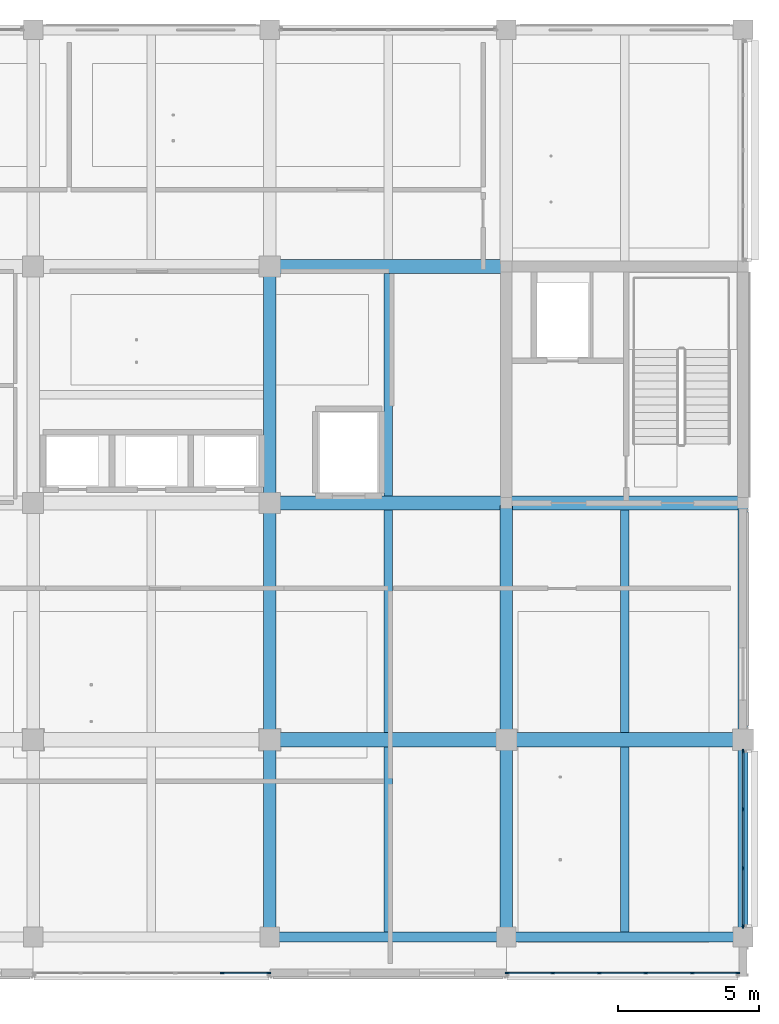
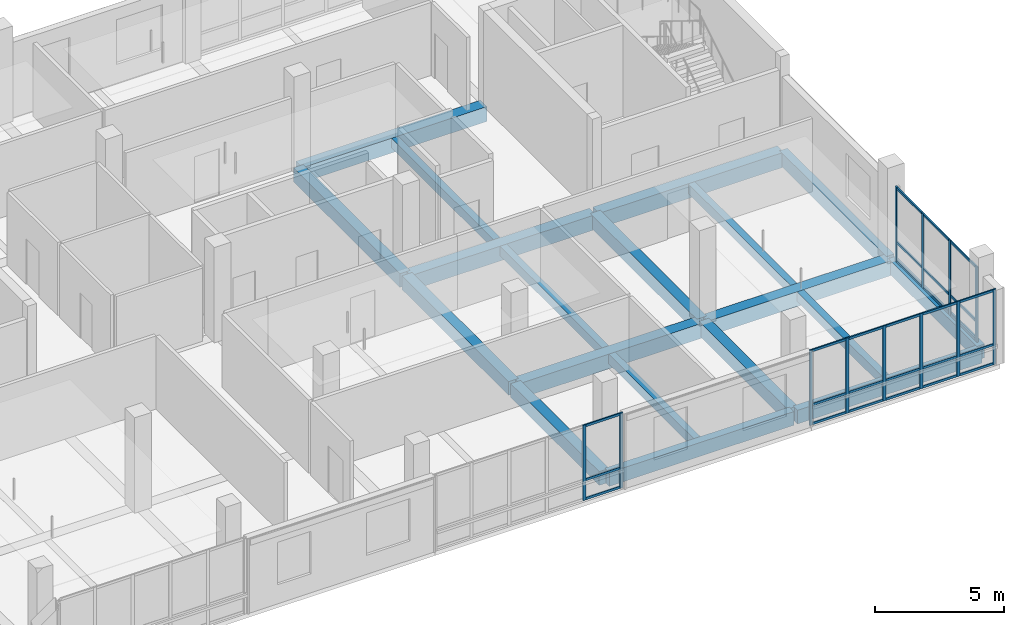
# One storey, part 6 of 35: 39 members, 19 beams, 3 elements without a shape of their own.
"""IFC4 building model written with IfcOpenShell, lengths in metres."""

import ifcopenshell
import ifcopenshell.guid

model = None  # the IFC model being written
_history = None  # IfcOwnerHistory: only IFC2X3 demands one
_inside = {}  # id of a spatial element -> (the spatial element, [elements in it])
_under = {}  # id of a project, library or spatial element -> (it, [spatial elements below it])
_declared = {}  # id of a project -> (the project, [libraries it declares])
_typed = {}  # id of a type object -> (the type object, [elements of that type])
_made_of = {}  # id of a material, layer set ... -> (it, [elements and type objects made of it])


def new_model(schema):
    """Start an empty IFC model of exactly this schema.

    Asked for "IFC4X3", IfcOpenShell would pick the latest addendum, in which some entities
    have other attributes; the version numbers below select the first issue.
    IFC2X3 requires an IfcOwnerHistory on every rooted entity: one is made here for all.
    """
    global model, _history
    if schema == "IFC4X3":
        model = ifcopenshell.file(schema_version=(4, 3, 0, 0))
    else:
        model = ifcopenshell.file(schema=schema)
    _inside.clear()
    _under.clear()
    _declared.clear()
    _typed.clear()
    _made_of.clear()
    _history = None
    if model.schema == "IFC2X3":
        org = make("IfcOrganization", Name="unknown")
        user = make(
            "IfcPersonAndOrganization",
            ThePerson=make("IfcPerson", FamilyName="unknown"),
            TheOrganization=org,
        )
        app = make(
            "IfcApplication",
            ApplicationDeveloper=org,
            Version="unknown",
            ApplicationFullName="unknown",
            ApplicationIdentifier="unknown",
        )
        _history = make(
            "IfcOwnerHistory",
            OwningUser=user,
            OwningApplication=app,
            ChangeAction="ADDED",
            CreationDate=0,
        )
    return model


def make(cls, **values):
    """One entity of the class cls with the attributes given. An attribute that is None is left unset."""
    return model.create_entity(
        cls, **{name: value for name, value in values.items() if value is not None}
    )


def rooted(cls, **values):
    """An entity with a GlobalId (a new one), such as an element, a storey or a relation."""
    return make(cls, GlobalId=ifcopenshell.guid.new(), OwnerHistory=_history, **values)


def si_unit(unit_type, name, prefix=None):
    """IfcSIUnit, for example si_unit("LENGTHUNIT", "METRE", prefix="MILLI")."""
    return make("IfcSIUnit", UnitType=unit_type, Prefix=prefix, Name=name)


def assignment(units):
    """IfcUnitAssignment: the units of a project."""
    return None if units is None else make("IfcUnitAssignment", Units=units)


def point(xyz):
    """IfcCartesianPoint."""
    return None if xyz is None else make("IfcCartesianPoint", Coordinates=xyz)


def direction(xyz):
    """IfcDirection."""
    return None if xyz is None else make("IfcDirection", DirectionRatios=xyz)


def frame(location, z_axis=None, x_axis=None):
    """IfcAxis2Placement3D, a coordinate frame: its origin and axes. An axis left out is left unset."""
    return make(
        "IfcAxis2Placement3D",
        Location=point(location),
        Axis=direction(z_axis),
        RefDirection=direction(x_axis),
    )


def frame_2d(location, x_axis=None):
    """IfcAxis2Placement2D, a coordinate frame in the plane: its origin and x axis."""
    return make(
        "IfcAxis2Placement2D", Location=point(location), RefDirection=direction(x_axis)
    )


def origin():
    """The frame at (0, 0, 0) with its axes left unset."""
    return frame((0.0, 0.0, 0.0))


def origin_2d():
    """The frame at (0, 0) in the plane with its x axis left unset."""
    return frame_2d((0.0, 0.0))


def place(relative_to, where):
    """IfcLocalPlacement: puts the frame where relative to a parent placement (None: the world)."""
    return make(
        "IfcLocalPlacement", PlacementRelTo=relative_to, RelativePlacement=where
    )


def context(
    kind, dimensions, precision=None, world=None, true_north=None, identifier=None
):
    """IfcGeometricRepresentationContext, for example the 3D "Model" context."""
    return make(
        "IfcGeometricRepresentationContext",
        ContextIdentifier=identifier,
        ContextType=kind,
        CoordinateSpaceDimension=dimensions,
        Precision=precision,
        WorldCoordinateSystem=world,
        TrueNorth=true_north,
    )


def subcontext(parent, identifier, kind, view, scale=None):
    """IfcGeometricRepresentationSubContext, for example "Body" below "Model"."""
    return make(
        "IfcGeometricRepresentationSubContext",
        ContextIdentifier=identifier,
        ContextType=kind,
        ParentContext=parent,
        TargetScale=scale,
        TargetView=view,
    )


def project(units=None, contexts=None):
    """IfcProject with its units and contexts."""
    return rooted(
        "IfcProject",
        Name="project",
        RepresentationContexts=contexts,
        UnitsInContext=assignment(units),
    )


def spatial(cls, under=None, at=None, **own):
    """A site, building, storey or space (cls), placed at a placement, below another one or the project."""
    s = rooted(cls, ObjectPlacement=at, **own)
    if under is not None:
        _under.setdefault(under.id(), (under, []))[1].append(s)
    return s


def profile(cls, at=None, kind="AREA", **sizes):
    """A parametric profile (cls). Its sizes go by their IFC names, for example OverallWidth=200.0."""
    return make(cls, ProfileType=kind, Position=at, **sizes)


def rectangle(**sizes):
    """IfcRectangleProfileDef."""
    return profile("IfcRectangleProfileDef", **sizes)


def extrude(swept, where, along, depth):
    """IfcExtrudedAreaSolid: the profile swept, set in the frame where, extruded along a direction by depth."""
    return make(
        "IfcExtrudedAreaSolid",
        SweptArea=swept,
        Position=where,
        ExtrudedDirection=direction(along),
        Depth=depth,
    )


def shape(context_of_items, identifier, shape_type, items):
    """IfcShapeRepresentation: the items that make up one representation, for example the "Body"."""
    return make(
        "IfcShapeRepresentation",
        ContextOfItems=context_of_items,
        RepresentationIdentifier=identifier,
        RepresentationType=shape_type,
        Items=items,
    )


def material(Name=None, Category=None):
    """IfcMaterial."""
    return make("IfcMaterial", Name=Name, Category=Category)


def layer(
    of_material, thickness, ventilated=None, Name=None, Category=None, Priority=None
):
    """IfcMaterialLayer: one layer of a wall or slab, of a material (None: an air gap)."""
    return make(
        "IfcMaterialLayer",
        Material=of_material,
        LayerThickness=thickness,
        IsVentilated=ventilated,
        Name=Name,
        Category=Category,
        Priority=Priority,
    )


def layer_set(layers, Name=None):
    """IfcMaterialLayerSet."""
    return make("IfcMaterialLayerSet", MaterialLayers=layers, LayerSetName=Name)


def material_profile(
    of_material, cross_section, Name=None, Category=None, Priority=None
):
    """IfcMaterialProfile: a cross section and its material."""
    return make(
        "IfcMaterialProfile",
        Name=Name,
        Material=of_material,
        Profile=cross_section,
        Priority=Priority,
        Category=Category,
    )


def profile_set(profiles, Name=None, composite=None):
    """IfcMaterialProfileSet."""
    return make(
        "IfcMaterialProfileSet",
        Name=Name,
        MaterialProfiles=profiles,
        CompositeProfile=composite,
    )


def made_of(thing, what):
    """Note that an element or type object is made of a material, layer set ...; save() writes the relation."""
    if what is not None:
        _made_of.setdefault(what.id(), (what, []))[1].append(thing)
    return thing


def type_object(cls, material=None, **own):
    """A type object (cls), such as IfcWallType, which elements share."""
    return made_of(rooted(cls, **own), material)


def element(
    cls,
    number,
    at=None,
    inside=None,
    cuts=None,
    type_object=None,
    material=None,
    context=None,
    identifier="Body",
    shape_type=None,
    held_by="IfcProductDefinitionShape",
    body=None,
    shapes=None,
    **own,
):
    """One element of the class cls, such as IfcWall. Its Tag is "e" and its number.

    at: its placement. inside: the storey or other place that contains it. cuts: it is an
    opening in that element (IfcRelVoidsElement). A single representation is given by context,
    identifier, shape_type and body (its items); several are given by shapes. held_by: the class
    of the entity that holds the representations. save() writes the other relations.
    """
    e = rooted(cls, Tag="e%d" % number, ObjectPlacement=at, **own)
    if body is not None:
        shapes = [shape(context, identifier, shape_type, body)]
    if shapes is not None:
        e.Representation = make(held_by, Representations=shapes)
    if inside is not None:
        _inside.setdefault(inside.id(), (inside, []))[1].append(e)
    if cuts is not None:
        rooted(
            "IfcRelVoidsElement", RelatingBuildingElement=cuts, RelatedOpeningElement=e
        )
    if type_object is not None:
        _typed.setdefault(type_object.id(), (type_object, []))[1].append(e)
    return made_of(e, material)


def aggregate(whole, parts):
    """IfcRelAggregates: a whole, such as a stair, and the parts it consists of."""
    return rooted("IfcRelAggregates", RelatingObject=whole, RelatedObjects=parts)


def save(model, path):
    """Write the relations noted so far, then the file.

    IfcRelAggregates (storeys below a building ...), IfcRelContainedInSpatialStructure (elements
    in a storey), IfcRelDefinesByType, IfcRelAssociatesMaterial and IfcRelDeclares: one each for
    every whole, place, type object, material and project.
    """
    for whole, parts in _under.values():
        aggregate(whole, parts)
    for where, things in _inside.values():
        rooted(
            "IfcRelContainedInSpatialStructure",
            RelatedElements=things,
            RelatingStructure=where,
        )
    for kind, things in _typed.values():
        rooted("IfcRelDefinesByType", RelatedObjects=things, RelatingType=kind)
    for what, things in _made_of.values():
        rooted("IfcRelAssociatesMaterial", RelatedObjects=things, RelatingMaterial=what)
    for by, libraries in _declared.values():
        rooted("IfcRelDeclares", RelatingContext=by, RelatedDefinitions=libraries)
    model.write(path)


model = new_model("IFC4")

# Units and contexts
model_context = context("Model", 3, precision=1e-05, world=origin(), true_north=direction((0.0, 1.0)))
body_context = subcontext(model_context, "Body", "Model", "MODEL_VIEW")
ifc_project = project(units=[si_unit("LENGTHUNIT", "METRE"), si_unit("AREAUNIT", "SQUARE_METRE"), si_unit("VOLUMEUNIT", "CUBIC_METRE"), si_unit("PLANEANGLEUNIT", "RADIAN"), si_unit("MASSUNIT", "GRAM", prefix="KILO")], contexts=[model_context])

# Site, building, storey
site_placement = place(None, origin())
site = spatial("IfcSite", under=ifc_project, at=site_placement, CompositionType="ELEMENT")
building_placement = place(site_placement, origin())
building = spatial("IfcBuilding", under=site, at=building_placement, Name="Telukmera Botanical Conservatory", CompositionType="ELEMENT")
storey_placement = place(building_placement, frame((0.0, 0.0, 46.5)))
storey = spatial("IfcBuildingStorey", under=building, at=storey_placement, Name="L10", CompositionType="ELEMENT", Elevation=46.5)

# Beams
ifc_material_1 = material(Name="Concrete C40/50", Category="concrete")
ifc_material_profile_1 = material_profile(ifc_material_1, rectangle(XDim=0.5, YDim=0.699951171875, at=origin_2d()), Name="RC 500x700")
ifc_profile_set_1 = profile_set([ifc_material_profile_1], Name="Concrete C40/50")
beam_type_1 = type_object("IfcBeamType", Name="Beam_B14", PredefinedType="BEAM", material=ifc_profile_set_1)
for number, where, z_axis, x_axis, name in (
    (1, (84.080078125, 17.60009765625, -0.35009765625), (1.0, 0.0, 0.0), (0.0, 1.0, 0.0), "Tower Grid Beam L10"),
    (2, (92.47998046875, 17.60009765625, -0.35009765625), (1.0, 0.0, 0.0), (0.0, 1.0, 0.0), "Tower Grid Beam L10"),
    (3, (84.080078125, 26.0, -0.35009765625), (1.0, 0.0, 0.0), (0.0, 1.0, 0.0), "Tower Grid Beam L10"),
    (4, (92.47998046875, 26.0, -0.35009765625), (1.0, 0.0, 0.0), (0.0, 1.0, 0.0), "Tower Grid Beam L10"),
    (5, (84.080078125, 34.39990234375, -0.35009765625), (1.0, 0.0, 0.0), (0.0, 1.0, 0.0), "Tower Grid Beam L10"),
):
    element("IfcBeam", number, at=place(storey_placement, frame(where, z_axis=z_axis, x_axis=x_axis)), inside=storey, type_object=beam_type_1, Name=name, PredefinedType="BEAM", context=body_context, shape_type="SweptSolid", body=[
        extrude(rectangle(XDim=0.5, YDim=0.699951171875, at=origin_2d()), origin(), (0.0, 0.0, 1.0), 8.239990234375),
    ])
ifc_material_profile_2 = material_profile(ifc_material_1, rectangle(XDim=0.449951171875, YDim=0.64990234375, at=origin_2d()), Name="RC 450x650")
ifc_profile_set_2 = profile_set([ifc_material_profile_2], Name="Concrete C40/50")
beam_type_2 = type_object("IfcBeamType", Name="Beam_B16", PredefinedType="BEAM", material=ifc_profile_set_2)
beam_1_placement = place(storey_placement, frame((84.0, 10.679931640625, -0.324951171875), z_axis=(0.0, 1.0, 0.0), x_axis=(-1.0, 0.0, 0.0)))
element("IfcBeam", 6, at=beam_1_placement, inside=storey, type_object=beam_type_2, Name="Tower Transverse Beam L10", PredefinedType="BEAM", context=body_context, shape_type="SweptSolid", body=[
    extrude(rectangle(XDim=0.449951171875, YDim=0.64990234375, at=origin_2d()), origin(), (0.0, 0.0, 1.0), 6.840087890625),
])
for number, where, z_axis, x_axis, name in (
    (7, (84.0, 17.679931640625, -0.324951171875), (0.0, 1.0, 0.0), (-1.0, 0.0, 0.0), "Tower Transverse Beam L10"),
    (8, (84.0, 26.080078125, -0.324951171875), (0.0, 1.0, 0.0), (-1.0, 0.0, 0.0), "Tower Transverse Beam L10"),
):
    element("IfcBeam", number, at=place(storey_placement, frame(where, z_axis=z_axis, x_axis=x_axis)), inside=storey, type_object=beam_type_2, Name=name, PredefinedType="BEAM", context=body_context, shape_type="SweptSolid", body=[
        extrude(rectangle(XDim=0.449951171875, YDim=0.64990234375, at=origin_2d()), origin(), (0.0, 0.0, 1.0), 8.239990234375),
    ])
beam_2_placement = place(storey_placement, frame((92.39990234375, 10.679931640625, -0.324951171875), z_axis=(0.0, 1.0, 0.0), x_axis=(-1.0, 0.0, 0.0)))
element("IfcBeam", 9, at=beam_2_placement, inside=storey, type_object=beam_type_2, Name="Tower Transverse Beam L10", PredefinedType="BEAM", context=body_context, shape_type="SweptSolid", body=[
    extrude(rectangle(XDim=0.449951171875, YDim=0.64990234375, at=origin_2d()), origin(), (0.0, 0.0, 1.0), 6.840087890625),
])
beam_3_placement = place(storey_placement, frame((92.39990234375, 17.679931640625, -0.324951171875), z_axis=(0.0, 1.0, 0.0), x_axis=(-1.0, 0.0, 0.0)))
element("IfcBeam", 10, at=beam_3_placement, inside=storey, type_object=beam_type_2, Name="Tower Transverse Beam L10", PredefinedType="BEAM", context=body_context, shape_type="SweptSolid", body=[
    extrude(rectangle(XDim=0.449951171875, YDim=0.64990234375, at=origin_2d()), origin(), (0.0, 0.0, 1.0), 8.239990234375),
])
ifc_material_profile_3 = material_profile(ifc_material_1, rectangle(XDim=0.300048828125, YDim=0.449951171875, at=origin_2d()), Name="RC 300x450")
ifc_profile_set_3 = profile_set([ifc_material_profile_3], Name="Concrete C40/50")
beam_type_3 = type_object("IfcBeamType", Name="Beam_B25", PredefinedType="JOIST", material=ifc_profile_set_3)
beam_4_placement = place(storey_placement, frame((88.199951171875, 10.77490234375, -0.22509765625), z_axis=(0.0, 1.0, 0.0), x_axis=(-1.0, 0.0, 0.0)))
element("IfcBeam", 11, at=beam_4_placement, inside=storey, type_object=beam_type_3, Name="Tower Secondary Floor Joist L10", PredefinedType="JOIST", context=body_context, shape_type="SweptSolid", body=[
    extrude(rectangle(XDim=0.300048828125, YDim=0.449951171875, at=origin_2d()), origin(), (0.0, 0.0, 1.0), 6.5751953125),
])
for number, where, z_axis, x_axis, name in (
    (12, (88.199951171875, 17.85009765625, -0.22509765625), (0.0, 1.0, 0.0), (-1.0, 0.0, 0.0), "Tower Secondary Floor Joist L10"),
    (13, (88.199951171875, 26.25, -0.22509765625), (0.0, 1.0, 0.0), (-1.0, 0.0, 0.0), "Tower Secondary Floor Joist L10"),
):
    element("IfcBeam", number, at=place(storey_placement, frame(where, z_axis=z_axis, x_axis=x_axis)), inside=storey, type_object=beam_type_3, Name=name, PredefinedType="JOIST", context=body_context, shape_type="SweptSolid", body=[
        extrude(rectangle(XDim=0.300048828125, YDim=0.449951171875, at=origin_2d()), origin(), (0.0, 0.0, 1.0), 7.89990234375),
    ])
beam_5_placement = place(storey_placement, frame((96.60009765625, 10.77490234375, -0.22509765625), z_axis=(0.0, 1.0, 0.0), x_axis=(-1.0, 0.0, 0.0)))
element("IfcBeam", 14, at=beam_5_placement, inside=storey, type_object=beam_type_3, Name="Tower Secondary Floor Joist L10", PredefinedType="JOIST", context=body_context, shape_type="SweptSolid", body=[
    extrude(rectangle(XDim=0.300048828125, YDim=0.449951171875, at=origin_2d()), origin(), (0.0, 0.0, 1.0), 6.5751953125),
])
beam_6_placement = place(storey_placement, frame((96.60009765625, 17.85009765625, -0.22509765625), z_axis=(0.0, 1.0, 0.0), x_axis=(-1.0, 0.0, 0.0)))
element("IfcBeam", 15, at=beam_6_placement, inside=storey, type_object=beam_type_3, Name="Tower Secondary Floor Joist L10", PredefinedType="JOIST", context=body_context, shape_type="SweptSolid", body=[
    extrude(rectangle(XDim=0.300048828125, YDim=0.449951171875, at=origin_2d()), origin(), (0.0, 0.0, 1.0), 7.89990234375),
])
ifc_material_2 = material(Name="Precast concrete C40/50", Category="concrete")
ifc_material_profile_4 = material_profile(ifc_material_2, rectangle(XDim=0.35009765625, YDim=0.64990234375, at=origin_2d()), Name="PC 350x650")
ifc_profile_set_4 = profile_set([ifc_material_profile_4], Name="Precast concrete C40/50")
beam_type_4 = type_object("IfcBeamType", Name="Beam_SP3", PredefinedType="SPANDREL", material=ifc_profile_set_4)
for number, where, z_axis, x_axis, name in (
    (16, (84.080078125, 10.60009765625, -0.324951171875), (1.0, 0.0, 0.0), (0.0, 1.0, 0.0), "Tower Grid Beam L10"),
    (17, (92.47998046875, 10.60009765625, -0.324951171875), (1.0, 0.0, 0.0), (0.0, 1.0, 0.0), "Tower Grid Beam L10"),
):
    element("IfcBeam", number, at=place(storey_placement, frame(where, z_axis=z_axis, x_axis=x_axis)), inside=storey, type_object=beam_type_4, Name=name, PredefinedType="SPANDREL", context=body_context, shape_type="SweptSolid", body=[
        extrude(rectangle(XDim=0.35009765625, YDim=0.64990234375, at=origin_2d()), origin(), (0.0, 0.0, 1.0), 8.239990234375),
    ])
beam_7_placement = place(storey_placement, frame((100.800048828125, 10.679931640625, -0.324951171875), z_axis=(0.0, 1.0, 0.0), x_axis=(-1.0, 0.0, 0.0)))
element("IfcBeam", 18, at=beam_7_placement, inside=storey, type_object=beam_type_4, Name="Tower Transverse Beam L10", PredefinedType="SPANDREL", context=body_context, shape_type="SweptSolid", body=[
    extrude(rectangle(XDim=0.35009765625, YDim=0.64990234375, at=origin_2d()), origin(), (0.0, 0.0, 1.0), 6.840087890625),
])
beam_8_placement = place(storey_placement, frame((100.800048828125, 17.679931640625, -0.324951171875), z_axis=(0.0, 1.0, 0.0), x_axis=(-1.0, 0.0, 0.0)))
element("IfcBeam", 19, at=beam_8_placement, inside=storey, type_object=beam_type_4, Name="Tower Transverse Beam L10", PredefinedType="SPANDREL", context=body_context, shape_type="SweptSolid", body=[
    extrude(rectangle(XDim=0.35009765625, YDim=0.64990234375, at=origin_2d()), origin(), (0.0, 0.0, 1.0), 8.239990234375),
])

# Curtain wall, members
ifc_material_3 = material(Name="Anodised aluminium 6063-T6", Category="aluminium")
ifc_layer = layer(ifc_material_3, 0.179931640625)
ifc_layer_set = layer_set([ifc_layer], Name="Anodised aluminium 6063-T6")
curtain_wall_type = type_object("IfcCurtainWallType", Name="Tower Research Laboratory Unitised Curtain Wall", PredefinedType="USERDEFINED", material=ifc_layer_set)
curtain_wall_1_placement = place(storey_placement, origin())
curtain_wall_1 = element("IfcCurtainWall", 20, at=curtain_wall_1_placement, inside=storey, type_object=curtain_wall_type, Name="Unitised Curtain Wall CW15 V4:L10:S4", ObjectType="UNITISED CURTAIN WALL", PredefinedType="USERDEFINED")
ifc_material_profile_5 = material_profile(ifc_material_3, rectangle(XDim=0.06005859375, YDim=0.139892578125, at=origin_2d()), Name="ALU MULL 60x140")
ifc_profile_set_5 = profile_set([ifc_material_profile_5], Name="Anodised aluminium 6063-T6")
member_type_1 = type_object("IfcMemberType", Name="Curtain Wall Extruded Mullion 60x140", PredefinedType="MULLION", material=ifc_profile_set_5)
member_1_placement = place(storey_placement, frame((82.31884765625, 9.320068359375, 0.0), z_axis=(0.0, 0.0, 1.0), x_axis=(0.0, 1.0, 0.0)))
member_1 = element("IfcMember", 21, at=member_1_placement, type_object=member_type_1, Name="CW15 mullion 5", PredefinedType="MULLION", context=body_context, shape_type="SweptSolid", body=[
    extrude(rectangle(XDim=0.06005859375, YDim=0.139892578125, at=origin_2d()), origin(), (0.0, 0.0, 1.0), 3.550048828125),
])
member_2_placement = place(storey_placement, frame((83.968017578125, 9.320068359375, 0.0), z_axis=(0.0, 0.0, 1.0), x_axis=(0.0, 1.0, 0.0)))
member_2 = element("IfcMember", 22, at=member_2_placement, type_object=member_type_1, Name="CW15 mullion 6", PredefinedType="MULLION", context=body_context, shape_type="SweptSolid", body=[
    extrude(rectangle(XDim=0.06005859375, YDim=0.139892578125, at=origin_2d()), origin(), (0.0, 0.0, 1.0), 3.550048828125),
])

curtain_wall_2_placement = place(storey_placement, origin())
curtain_wall_2 = element("IfcCurtainWall", 23, at=curtain_wall_2_placement, inside=storey, type_object=curtain_wall_type, Name="Unitised Curtain Wall CW15 V4:L10:S6", ObjectType="UNITISED CURTAIN WALL", PredefinedType="USERDEFINED")
member_3_placement = place(storey_placement, frame((92.431884765625, 9.320068359375, 0.0), z_axis=(0.0, 0.0, 1.0), x_axis=(0.0, 1.0, 0.0)))
member_3 = element("IfcMember", 24, at=member_3_placement, type_object=member_type_1, Name="CW15 mullion 1", PredefinedType="MULLION", context=body_context, shape_type="SweptSolid", body=[
    extrude(rectangle(XDim=0.06005859375, YDim=0.139892578125, at=origin_2d()), origin(), (0.0, 0.0, 1.0), 3.550048828125),
])
member_4_placement = place(storey_placement, frame((94.05126953125, 9.320068359375, 0.0), z_axis=(0.0, 0.0, 1.0), x_axis=(0.0, 1.0, 0.0)))
member_4 = element("IfcMember", 25, at=member_4_placement, type_object=member_type_1, Name="CW15 mullion 2", PredefinedType="MULLION", context=body_context, shape_type="SweptSolid", body=[
    extrude(rectangle(XDim=0.06005859375, YDim=0.139892578125, at=origin_2d()), origin(), (0.0, 0.0, 1.0), 3.550048828125),
])
member_5_placement = place(storey_placement, frame((95.700439453125, 9.320068359375, 0.0), z_axis=(0.0, 0.0, 1.0), x_axis=(0.0, 1.0, 0.0)))
member_5 = element("IfcMember", 26, at=member_5_placement, type_object=member_type_1, Name="CW15 mullion 3", PredefinedType="MULLION", context=body_context, shape_type="SweptSolid", body=[
    extrude(rectangle(XDim=0.06005859375, YDim=0.139892578125, at=origin_2d()), origin(), (0.0, 0.0, 1.0), 3.550048828125),
])
member_6_placement = place(storey_placement, frame((97.349609375, 9.320068359375, 0.0), z_axis=(0.0, 0.0, 1.0), x_axis=(0.0, 1.0, 0.0)))
member_6 = element("IfcMember", 27, at=member_6_placement, type_object=member_type_1, Name="CW15 mullion 4", PredefinedType="MULLION", context=body_context, shape_type="SweptSolid", body=[
    extrude(rectangle(XDim=0.06005859375, YDim=0.139892578125, at=origin_2d()), origin(), (0.0, 0.0, 1.0), 3.550048828125),
])
member_7_placement = place(storey_placement, frame((98.998779296875, 9.320068359375, 0.0), z_axis=(0.0, 0.0, 1.0), x_axis=(0.0, 1.0, 0.0)))
member_7 = element("IfcMember", 28, at=member_7_placement, type_object=member_type_1, Name="CW15 mullion 5", PredefinedType="MULLION", context=body_context, shape_type="SweptSolid", body=[
    extrude(rectangle(XDim=0.06005859375, YDim=0.139892578125, at=origin_2d()), origin(), (0.0, 0.0, 1.0), 3.550048828125),
])
member_8_placement = place(storey_placement, frame((100.617919921875, 9.320068359375, 0.0), z_axis=(0.0, 0.0, 1.0), x_axis=(0.0, 1.0, 0.0)))
member_8 = element("IfcMember", 29, at=member_8_placement, type_object=member_type_1, Name="CW15 mullion 6", PredefinedType="MULLION", context=body_context, shape_type="SweptSolid", body=[
    extrude(rectangle(XDim=0.06005859375, YDim=0.139892578125, at=origin_2d()), origin(), (0.0, 0.0, 1.0), 3.550048828125),
])

curtain_wall_3_placement = place(storey_placement, origin())
curtain_wall_3 = element("IfcCurtainWall", 30, at=curtain_wall_3_placement, inside=storey, type_object=curtain_wall_type, Name="Unitised Curtain Wall CW15 V4:L10:E1", ObjectType="UNITISED CURTAIN WALL", PredefinedType="USERDEFINED")
member_9_placement = place(storey_placement, frame((100.800048828125, 10.98193359375, 0.0), z_axis=(0.0, 0.0, 1.0), x_axis=(-1.0, 0.0, 0.0)))
member_9 = element("IfcMember", 31, at=member_9_placement, type_object=member_type_1, Name="CW15 mullion 1", PredefinedType="MULLION", context=body_context, shape_type="SweptSolid", body=[
    extrude(rectangle(XDim=0.06005859375, YDim=0.139892578125, at=origin_2d()), origin(), (0.0, 0.0, 1.0), 3.550048828125),
])
member_10_placement = place(storey_placement, frame((100.800048828125, 13.042236328125, 0.0), z_axis=(0.0, 0.0, 1.0), x_axis=(-1.0, 0.0, 0.0)))
member_10 = element("IfcMember", 32, at=member_10_placement, type_object=member_type_1, Name="CW15 mullion 2", PredefinedType="MULLION", context=body_context, shape_type="SweptSolid", body=[
    extrude(rectangle(XDim=0.06005859375, YDim=0.139892578125, at=origin_2d()), origin(), (0.0, 0.0, 1.0), 3.550048828125),
])
member_11_placement = place(storey_placement, frame((100.800048828125, 15.132568359375, 0.0), z_axis=(0.0, 0.0, 1.0), x_axis=(-1.0, 0.0, 0.0)))
member_11 = element("IfcMember", 33, at=member_11_placement, type_object=member_type_1, Name="CW15 mullion 3", PredefinedType="MULLION", context=body_context, shape_type="SweptSolid", body=[
    extrude(rectangle(XDim=0.06005859375, YDim=0.139892578125, at=origin_2d()), origin(), (0.0, 0.0, 1.0), 3.550048828125),
])
member_12_placement = place(storey_placement, frame((100.800048828125, 17.193115234375, 0.0), z_axis=(0.0, 0.0, 1.0), x_axis=(-1.0, 0.0, 0.0)))
member_12 = element("IfcMember", 34, at=member_12_placement, type_object=member_type_1, Name="CW15 mullion 4", PredefinedType="MULLION", context=body_context, shape_type="SweptSolid", body=[
    extrude(rectangle(XDim=0.06005859375, YDim=0.139892578125, at=origin_2d()), origin(), (0.0, 0.0, 1.0), 3.550048828125),
])

# Member
ifc_material_profile_6 = material_profile(ifc_material_3, rectangle(XDim=0.06005859375, YDim=0.110107421875, at=origin_2d()), Name="ALU TRAN 60x110")
ifc_profile_set_6 = profile_set([ifc_material_profile_6], Name="Anodised aluminium 6063-T6")
member_type_2 = type_object("IfcMemberType", Name="Curtain Wall Extruded Transom 60x110", PredefinedType="USERDEFINED", material=ifc_profile_set_6)
member_13_placement = place(storey_placement, frame((82.348876953125, 9.320068359375, 0.054931640625), z_axis=(1.0, 0.0, 0.0), x_axis=(0.0, 1.0, 0.0)))
member_13 = element("IfcMember", 35, at=member_13_placement, type_object=member_type_2, Name="CW15 transom 5.1", ObjectType="TRANSOM", PredefinedType="USERDEFINED", context=body_context, shape_type="SweptSolid", body=[
    extrude(rectangle(XDim=0.06005859375, YDim=0.110107421875, at=origin_2d()), origin(), (0.0, 0.0, 1.0), 1.589111328125),
])

member_14_placement = place(storey_placement, frame((82.348876953125, 9.320068359375, 0.949951171875), z_axis=(1.0, 0.0, 0.0), x_axis=(0.0, 1.0, 0.0)))
member_14 = element("IfcMember", 36, at=member_14_placement, type_object=member_type_2, Name="CW15 transom 5.2", ObjectType="TRANSOM", PredefinedType="USERDEFINED", context=body_context, shape_type="SweptSolid", body=[
    extrude(rectangle(XDim=0.06005859375, YDim=0.110107421875, at=origin_2d()), origin(), (0.0, 0.0, 1.0), 1.589111328125),
])

member_15_placement = place(storey_placement, frame((82.348876953125, 9.320068359375, 3.4951171875), z_axis=(1.0, 0.0, 0.0), x_axis=(0.0, 1.0, 0.0)))
member_15 = element("IfcMember", 37, at=member_15_placement, type_object=member_type_2, Name="CW15 transom 5.3", ObjectType="TRANSOM", PredefinedType="USERDEFINED", context=body_context, shape_type="SweptSolid", body=[
    extrude(rectangle(XDim=0.06005859375, YDim=0.110107421875, at=origin_2d()), origin(), (0.0, 0.0, 1.0), 1.589111328125),
])

aggregate(curtain_wall_1, [member_1, member_2, member_13, member_14, member_15])

member_16_placement = place(storey_placement, frame((92.4619140625, 9.320068359375, 0.054931640625), z_axis=(1.0, 0.0, 0.0), x_axis=(0.0, 1.0, 0.0)))
member_16 = element("IfcMember", 38, at=member_16_placement, type_object=member_type_2, Name="CW15 transom 1.1", ObjectType="TRANSOM", PredefinedType="USERDEFINED", context=body_context, shape_type="SweptSolid", body=[
    extrude(rectangle(XDim=0.06005859375, YDim=0.110107421875, at=origin_2d()), origin(), (0.0, 0.0, 1.0), 1.559326171875),
])

member_17_placement = place(storey_placement, frame((92.4619140625, 9.320068359375, 0.949951171875), z_axis=(1.0, 0.0, 0.0), x_axis=(0.0, 1.0, 0.0)))
member_17 = element("IfcMember", 39, at=member_17_placement, type_object=member_type_2, Name="CW15 transom 1.2", ObjectType="TRANSOM", PredefinedType="USERDEFINED", context=body_context, shape_type="SweptSolid", body=[
    extrude(rectangle(XDim=0.06005859375, YDim=0.110107421875, at=origin_2d()), origin(), (0.0, 0.0, 1.0), 1.559326171875),
])

member_18_placement = place(storey_placement, frame((92.4619140625, 9.320068359375, 3.4951171875), z_axis=(1.0, 0.0, 0.0), x_axis=(0.0, 1.0, 0.0)))
member_18 = element("IfcMember", 40, at=member_18_placement, type_object=member_type_2, Name="CW15 transom 1.3", ObjectType="TRANSOM", PredefinedType="USERDEFINED", context=body_context, shape_type="SweptSolid", body=[
    extrude(rectangle(XDim=0.06005859375, YDim=0.110107421875, at=origin_2d()), origin(), (0.0, 0.0, 1.0), 1.559326171875),
])

member_19_placement = place(storey_placement, frame((94.081298828125, 9.320068359375, 0.054931640625), z_axis=(1.0, 0.0, 0.0), x_axis=(0.0, 1.0, 0.0)))
member_19 = element("IfcMember", 41, at=member_19_placement, type_object=member_type_2, Name="CW15 transom 2.1", ObjectType="TRANSOM", PredefinedType="USERDEFINED", context=body_context, shape_type="SweptSolid", body=[
    extrude(rectangle(XDim=0.06005859375, YDim=0.110107421875, at=origin_2d()), origin(), (0.0, 0.0, 1.0), 1.589111328125),
])

member_20_placement = place(storey_placement, frame((94.081298828125, 9.320068359375, 0.949951171875), z_axis=(1.0, 0.0, 0.0), x_axis=(0.0, 1.0, 0.0)))
member_20 = element("IfcMember", 42, at=member_20_placement, type_object=member_type_2, Name="CW15 transom 2.2", ObjectType="TRANSOM", PredefinedType="USERDEFINED", context=body_context, shape_type="SweptSolid", body=[
    extrude(rectangle(XDim=0.06005859375, YDim=0.110107421875, at=origin_2d()), origin(), (0.0, 0.0, 1.0), 1.589111328125),
])

member_21_placement = place(storey_placement, frame((94.081298828125, 9.320068359375, 3.4951171875), z_axis=(1.0, 0.0, 0.0), x_axis=(0.0, 1.0, 0.0)))
member_21 = element("IfcMember", 43, at=member_21_placement, type_object=member_type_2, Name="CW15 transom 2.3", ObjectType="TRANSOM", PredefinedType="USERDEFINED", context=body_context, shape_type="SweptSolid", body=[
    extrude(rectangle(XDim=0.06005859375, YDim=0.110107421875, at=origin_2d()), origin(), (0.0, 0.0, 1.0), 1.589111328125),
])

member_22_placement = place(storey_placement, frame((95.73046875, 9.320068359375, 0.054931640625), z_axis=(1.0, 0.0, 0.0), x_axis=(0.0, 1.0, 0.0)))
member_22 = element("IfcMember", 44, at=member_22_placement, type_object=member_type_2, Name="CW15 transom 3.1", ObjectType="TRANSOM", PredefinedType="USERDEFINED", context=body_context, shape_type="SweptSolid", body=[
    extrude(rectangle(XDim=0.06005859375, YDim=0.110107421875, at=origin_2d()), origin(), (0.0, 0.0, 1.0), 1.589111328125),
])

member_23_placement = place(storey_placement, frame((95.73046875, 9.320068359375, 0.949951171875), z_axis=(1.0, 0.0, 0.0), x_axis=(0.0, 1.0, 0.0)))
member_23 = element("IfcMember", 45, at=member_23_placement, type_object=member_type_2, Name="CW15 transom 3.2", ObjectType="TRANSOM", PredefinedType="USERDEFINED", context=body_context, shape_type="SweptSolid", body=[
    extrude(rectangle(XDim=0.06005859375, YDim=0.110107421875, at=origin_2d()), origin(), (0.0, 0.0, 1.0), 1.589111328125),
])

member_24_placement = place(storey_placement, frame((95.73046875, 9.320068359375, 3.4951171875), z_axis=(1.0, 0.0, 0.0), x_axis=(0.0, 1.0, 0.0)))
member_24 = element("IfcMember", 46, at=member_24_placement, type_object=member_type_2, Name="CW15 transom 3.3", ObjectType="TRANSOM", PredefinedType="USERDEFINED", context=body_context, shape_type="SweptSolid", body=[
    extrude(rectangle(XDim=0.06005859375, YDim=0.110107421875, at=origin_2d()), origin(), (0.0, 0.0, 1.0), 1.589111328125),
])

member_25_placement = place(storey_placement, frame((97.379638671875, 9.320068359375, 0.054931640625), z_axis=(1.0, 0.0, 0.0), x_axis=(0.0, 1.0, 0.0)))
member_25 = element("IfcMember", 47, at=member_25_placement, type_object=member_type_2, Name="CW15 transom 4.1", ObjectType="TRANSOM", PredefinedType="USERDEFINED", context=body_context, shape_type="SweptSolid", body=[
    extrude(rectangle(XDim=0.06005859375, YDim=0.110107421875, at=origin_2d()), origin(), (0.0, 0.0, 1.0), 1.589111328125),
])

member_26_placement = place(storey_placement, frame((97.379638671875, 9.320068359375, 0.949951171875), z_axis=(1.0, 0.0, 0.0), x_axis=(0.0, 1.0, 0.0)))
member_26 = element("IfcMember", 48, at=member_26_placement, type_object=member_type_2, Name="CW15 transom 4.2", ObjectType="TRANSOM", PredefinedType="USERDEFINED", context=body_context, shape_type="SweptSolid", body=[
    extrude(rectangle(XDim=0.06005859375, YDim=0.110107421875, at=origin_2d()), origin(), (0.0, 0.0, 1.0), 1.589111328125),
])

member_27_placement = place(storey_placement, frame((97.379638671875, 9.320068359375, 3.4951171875), z_axis=(1.0, 0.0, 0.0), x_axis=(0.0, 1.0, 0.0)))
member_27 = element("IfcMember", 49, at=member_27_placement, type_object=member_type_2, Name="CW15 transom 4.3", ObjectType="TRANSOM", PredefinedType="USERDEFINED", context=body_context, shape_type="SweptSolid", body=[
    extrude(rectangle(XDim=0.06005859375, YDim=0.110107421875, at=origin_2d()), origin(), (0.0, 0.0, 1.0), 1.589111328125),
])

member_28_placement = place(storey_placement, frame((99.02880859375, 9.320068359375, 0.054931640625), z_axis=(1.0, 0.0, 0.0), x_axis=(0.0, 1.0, 0.0)))
member_28 = element("IfcMember", 50, at=member_28_placement, type_object=member_type_2, Name="CW15 transom 5.1", ObjectType="TRANSOM", PredefinedType="USERDEFINED", context=body_context, shape_type="SweptSolid", body=[
    extrude(rectangle(XDim=0.06005859375, YDim=0.110107421875, at=origin_2d()), origin(), (0.0, 0.0, 1.0), 1.55908203125),
])

member_29_placement = place(storey_placement, frame((99.02880859375, 9.320068359375, 0.949951171875), z_axis=(1.0, 0.0, 0.0), x_axis=(0.0, 1.0, 0.0)))
member_29 = element("IfcMember", 51, at=member_29_placement, type_object=member_type_2, Name="CW15 transom 5.2", ObjectType="TRANSOM", PredefinedType="USERDEFINED", context=body_context, shape_type="SweptSolid", body=[
    extrude(rectangle(XDim=0.06005859375, YDim=0.110107421875, at=origin_2d()), origin(), (0.0, 0.0, 1.0), 1.55908203125),
])

member_30_placement = place(storey_placement, frame((99.02880859375, 9.320068359375, 3.4951171875), z_axis=(1.0, 0.0, 0.0), x_axis=(0.0, 1.0, 0.0)))
member_30 = element("IfcMember", 52, at=member_30_placement, type_object=member_type_2, Name="CW15 transom 5.3", ObjectType="TRANSOM", PredefinedType="USERDEFINED", context=body_context, shape_type="SweptSolid", body=[
    extrude(rectangle(XDim=0.06005859375, YDim=0.110107421875, at=origin_2d()), origin(), (0.0, 0.0, 1.0), 1.55908203125),
])

aggregate(curtain_wall_2, [member_3, member_4, member_5, member_6, member_7, member_8, member_16, member_17, member_18, member_19, member_20, member_21, member_22, member_23, member_24, member_25, member_26, member_27, member_28, member_29, member_30])

member_31_placement = place(storey_placement, frame((100.800048828125, 11.011962890625, 0.054931640625), z_axis=(0.0, 1.0, 0.0), x_axis=(-1.0, 0.0, 0.0)))
member_31 = element("IfcMember", 53, at=member_31_placement, type_object=member_type_2, Name="CW15 transom 1.1", ObjectType="TRANSOM", PredefinedType="USERDEFINED", context=body_context, shape_type="SweptSolid", body=[
    extrude(rectangle(XDim=0.06005859375, YDim=0.110107421875, at=origin_2d()), origin(), (0.0, 0.0, 1.0), 2.00048828125),
])

member_32_placement = place(storey_placement, frame((100.800048828125, 11.011962890625, 0.949951171875), z_axis=(0.0, 1.0, 0.0), x_axis=(-1.0, 0.0, 0.0)))
member_32 = element("IfcMember", 54, at=member_32_placement, type_object=member_type_2, Name="CW15 transom 1.2", ObjectType="TRANSOM", PredefinedType="USERDEFINED", context=body_context, shape_type="SweptSolid", body=[
    extrude(rectangle(XDim=0.06005859375, YDim=0.110107421875, at=origin_2d()), origin(), (0.0, 0.0, 1.0), 2.00048828125),
])

member_33_placement = place(storey_placement, frame((100.800048828125, 11.011962890625, 3.4951171875), z_axis=(0.0, 1.0, 0.0), x_axis=(-1.0, 0.0, 0.0)))
member_33 = element("IfcMember", 55, at=member_33_placement, type_object=member_type_2, Name="CW15 transom 1.3", ObjectType="TRANSOM", PredefinedType="USERDEFINED", context=body_context, shape_type="SweptSolid", body=[
    extrude(rectangle(XDim=0.06005859375, YDim=0.110107421875, at=origin_2d()), origin(), (0.0, 0.0, 1.0), 2.00048828125),
])

member_34_placement = place(storey_placement, frame((100.800048828125, 13.072265625, 0.054931640625), z_axis=(0.0, 1.0, 0.0), x_axis=(-1.0, 0.0, 0.0)))
member_34 = element("IfcMember", 56, at=member_34_placement, type_object=member_type_2, Name="CW15 transom 2.1", ObjectType="TRANSOM", PredefinedType="USERDEFINED", context=body_context, shape_type="SweptSolid", body=[
    extrude(rectangle(XDim=0.06005859375, YDim=0.110107421875, at=origin_2d()), origin(), (0.0, 0.0, 1.0), 2.030517578125),
])

member_35_placement = place(storey_placement, frame((100.800048828125, 13.072265625, 0.949951171875), z_axis=(0.0, 1.0, 0.0), x_axis=(-1.0, 0.0, 0.0)))
member_35 = element("IfcMember", 57, at=member_35_placement, type_object=member_type_2, Name="CW15 transom 2.2", ObjectType="TRANSOM", PredefinedType="USERDEFINED", context=body_context, shape_type="SweptSolid", body=[
    extrude(rectangle(XDim=0.06005859375, YDim=0.110107421875, at=origin_2d()), origin(), (0.0, 0.0, 1.0), 2.030517578125),
])

member_36_placement = place(storey_placement, frame((100.800048828125, 13.072265625, 3.4951171875), z_axis=(0.0, 1.0, 0.0), x_axis=(-1.0, 0.0, 0.0)))
member_36 = element("IfcMember", 58, at=member_36_placement, type_object=member_type_2, Name="CW15 transom 2.3", ObjectType="TRANSOM", PredefinedType="USERDEFINED", context=body_context, shape_type="SweptSolid", body=[
    extrude(rectangle(XDim=0.06005859375, YDim=0.110107421875, at=origin_2d()), origin(), (0.0, 0.0, 1.0), 2.030517578125),
])

member_37_placement = place(storey_placement, frame((100.800048828125, 15.16259765625, 0.054931640625), z_axis=(0.0, 1.0, 0.0), x_axis=(-1.0, 0.0, 0.0)))
member_37 = element("IfcMember", 59, at=member_37_placement, type_object=member_type_2, Name="CW15 transom 3.1", ObjectType="TRANSOM", PredefinedType="USERDEFINED", context=body_context, shape_type="SweptSolid", body=[
    extrude(rectangle(XDim=0.06005859375, YDim=0.110107421875, at=origin_2d()), origin(), (0.0, 0.0, 1.0), 2.00048828125),
])

member_38_placement = place(storey_placement, frame((100.800048828125, 15.16259765625, 0.949951171875), z_axis=(0.0, 1.0, 0.0), x_axis=(-1.0, 0.0, 0.0)))
member_38 = element("IfcMember", 60, at=member_38_placement, type_object=member_type_2, Name="CW15 transom 3.2", ObjectType="TRANSOM", PredefinedType="USERDEFINED", context=body_context, shape_type="SweptSolid", body=[
    extrude(rectangle(XDim=0.06005859375, YDim=0.110107421875, at=origin_2d()), origin(), (0.0, 0.0, 1.0), 2.00048828125),
])

member_39_placement = place(storey_placement, frame((100.800048828125, 15.16259765625, 3.4951171875), z_axis=(0.0, 1.0, 0.0), x_axis=(-1.0, 0.0, 0.0)))
member_39 = element("IfcMember", 61, at=member_39_placement, type_object=member_type_2, Name="CW15 transom 3.3", ObjectType="TRANSOM", PredefinedType="USERDEFINED", context=body_context, shape_type="SweptSolid", body=[
    extrude(rectangle(XDim=0.06005859375, YDim=0.110107421875, at=origin_2d()), origin(), (0.0, 0.0, 1.0), 2.00048828125),
])

aggregate(curtain_wall_3, [member_9, member_10, member_11, member_12, member_31, member_32, member_33, member_34, member_35, member_36, member_37, member_38, member_39])

save(model, "model.ifc")
